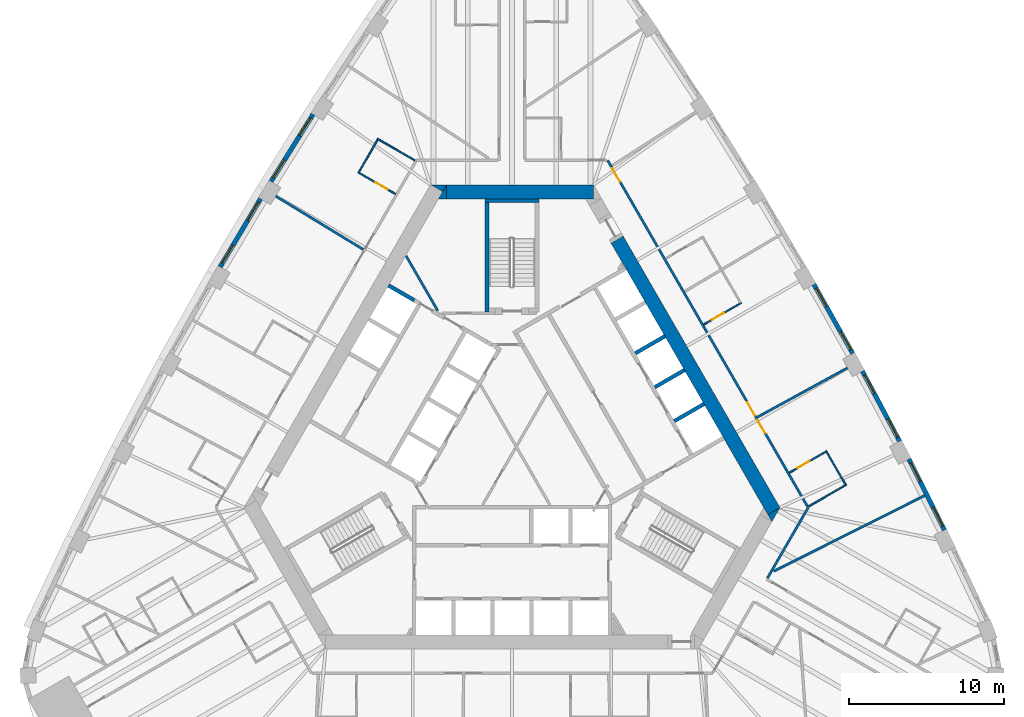
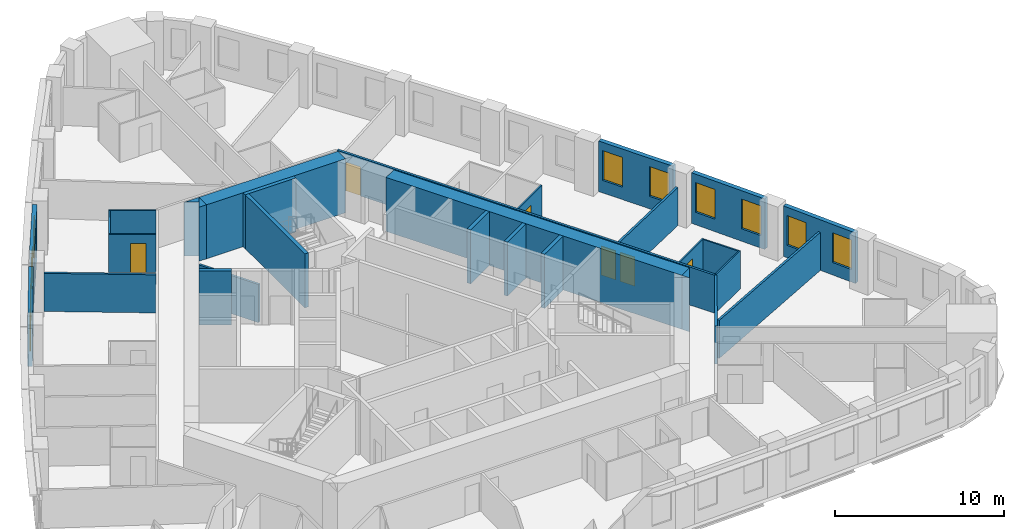
# One storey, part 9 of 12: 29 walls, 10 windows, 6 doors, 16 openings.
"""IFC4 building model written with IfcOpenShell, lengths in metres."""

from ifc_helpers import new_model, si_unit, direction, frame, frame_2d, origin, place, context, subcontext, project, spatial, polyline, rectangle, outline, extrude, material, layer, layer_set, type_object, element, fill, save


model = new_model("IFC4")

# Units and contexts
model_context = context("Model", 3, precision=1e-05, world=origin(), true_north=direction((0.0, 1.0)))
body_context = subcontext(model_context, "Body", "Model", "MODEL_VIEW")
ifc_project = project(units=[si_unit("LENGTHUNIT", "METRE"), si_unit("AREAUNIT", "SQUARE_METRE"), si_unit("VOLUMEUNIT", "CUBIC_METRE"), si_unit("PLANEANGLEUNIT", "RADIAN"), si_unit("MASSUNIT", "GRAM", prefix="KILO")], contexts=[model_context])

# Site, building, storey
site_placement = place(None, origin())
site = spatial("IfcSite", under=ifc_project, at=site_placement, CompositionType="ELEMENT")
building_placement = place(site_placement, origin())
building = spatial("IfcBuilding", under=site, at=building_placement, Name="Mestral Congress Tower", CompositionType="ELEMENT")
storey_placement = place(building_placement, frame((0.0, 0.0, 122.699951171875)))
storey = spatial("IfcBuildingStorey", under=building, at=storey_placement, Name="L29", CompositionType="ELEMENT", Elevation=122.699951171875)

# Walls
ifc_material_1 = material(Name="Fire-rated board partition")
ifc_layer_1 = layer(ifc_material_1, 0.14990234375)
ifc_layer_set_1 = layer_set([ifc_layer_1], Name="Fire-rated board partition")
wall_type_1 = type_object("IfcWallType", Name="Core partition 150", PredefinedType="PARTITIONING", material=ifc_layer_set_1)
wall_1_placement = place(storey_placement, frame((-6.8232421875, 12.318115234375, 0.0), z_axis=(0.0, 0.0, 1.0), x_axis=(0.500007885066, -0.866020851292, 0.0)))
element("IfcWall", 1, at=wall_1_placement, inside=storey, type_object=wall_type_1, Name="L29 core wall", PredefinedType="PARTITIONING", context=body_context, shape_type="SweptSolid", body=[
    extrude(rectangle(XDim=4.072265625, YDim=0.14990234375, at=frame_2d((2.0361328125, 0.0))), origin(), (0.0, 0.0, 1.0), 2.75),
])
ifc_material_2 = material(Name="Concrete C60/75", Category="concrete")
ifc_layer_2 = layer(ifc_material_2, 0.89990234375)
ifc_layer_set_2 = layer_set([ifc_layer_2], Name="Concrete C60/75")
wall_type_2 = type_object("IfcWallType", Name="Core wall RC 900", PredefinedType="SOLIDWALL", material=ifc_layer_set_2)
wall_2_placement = place(storey_placement, frame((6.77587890625, 13.36376953125, 0.0), z_axis=(0.0, 0.0, 1.0), x_axis=(0.500004177138, -0.8660229921, 0.0)))
element("IfcWall", 2, at=wall_2_placement, inside=storey, type_object=wall_type_2, Name="L29 core wall", PredefinedType="SOLIDWALL", context=body_context, shape_type="SweptSolid", body=[
    extrude(rectangle(XDim=20.203857421875, YDim=0.89990234375, at=frame_2d((10.10205078125, 0.0))), origin(), (0.0, 0.0, 1.0), 3.900146484375),
])
placement = place(storey_placement, origin())
element("IfcWall", 3, at=placement, inside=storey, type_object=wall_type_2, Name="L29 core wall", PredefinedType="SOLIDWALL", context=body_context, shape_type="SweptSolid", body=[
    extrude(outline(polyline([(16.7431640625, -4.800048828125), (16.4892578125, -4.360107421875), (17.251220703125, -3.920166015625), (16.7431640625, -4.800048828125)])), origin(), (0.0, 0.0, 1.0), 3.900146484375),
])
element("IfcWall", 4, at=placement, inside=storey, type_object=wall_type_2, Name="L29 core wall", PredefinedType="SOLIDWALL", context=body_context, shape_type="SweptSolid", body=[
    extrude(outline(polyline([(-4.214599609375, 16.89990234375), (-4.46875, 16.460205078125), (-5.230712890625, 16.89990234375), (-4.214599609375, 16.89990234375)])), origin(), (0.0, 0.0, 1.0), 3.900146484375),
])
wall_5_placement = place(storey_placement, frame((-4.224365234375, 16.449951171875, 0.0), z_axis=(0.0, 0.0, 1.0), x_axis=(1.0, 0.0, 0.0)))
element("IfcWall", 5, at=wall_5_placement, inside=storey, type_object=wall_type_2, Name="L29 core wall", PredefinedType="SOLIDWALL", context=body_context, shape_type="SweptSolid", body=[
    extrude(rectangle(XDim=9.48779296875, YDim=0.89990234375, at=frame_2d((4.743896484375, 0.0))), origin(), (0.0, 0.0, 1.0), 3.900146484375),
])
element("IfcWall", 6, at=placement, inside=storey, type_object=wall_type_2, Name="L29 core wall", PredefinedType="SOLIDWALL", context=body_context, shape_type="SweptSolid", body=[
    extrude(outline(polyline([(-4.734375, 16.0), (-4.226318359375, 16.8798828125), (-4.226318359375, 16.0), (-4.734375, 16.0)])), origin(), (0.0, 0.0, 1.0), 3.900146484375),
])

# Wall, openings, windows
ifc_material_3 = material(Name="Precast concrete C40/50 with limestone facing", Category="masonry")
ifc_layer_3 = layer(ifc_material_3, 0.2900390625)
ifc_layer_set_3 = layer_set([ifc_layer_3], Name="Precast concrete C40/50 with limestone facing")
wall_type_3 = type_object("IfcWallType", Name="Facade stone wall 290", PredefinedType="SOLIDWALL", material=ifc_layer_set_3)
wall_7_placement = place(storey_placement, frame((27.864013671875, -5.336181640625, 0.0), z_axis=(0.0, 0.0, 1.0), x_axis=(-0.448534297211, 0.893765620409, 0.0)))
wall_7 = element("IfcWall", 7, at=wall_7_placement, inside=storey, type_object=wall_type_3, Name="Facade wall F1-01", PredefinedType="SOLIDWALL", context=body_context, shape_type="SweptSolid", body=[
    extrude(rectangle(XDim=5.10009765625, YDim=0.2900390625, at=frame_2d((2.550048828125, 0.0))), origin(), (0.0, 0.0, 1.0), 3.650146484375),
])
opening_1_placement = place(wall_7_placement, frame((0.2724609375, 0.0, 0.89990234375)))
opening_1 = element("IfcOpeningElement", 8, at=opening_1_placement, cuts=wall_7, Name="Opening W2", PredefinedType="OPENING", context=body_context, shape_type="SweptSolid", body=[
    extrude(rectangle(XDim=1.35009765625, YDim=2.14990234375, at=frame_2d((0.675048828125, 1.074951171875))), frame((0.0, 0.155029296875, 0.0), z_axis=(0.0, -1.0, 0.0), x_axis=(1.0, 0.0, 0.0)), (0.0, 0.0, 1.0), 0.31005859375),
])
opening_2_placement = place(wall_7_placement, frame((3.477783203125, 0.0, 0.89990234375)))
opening_2 = element("IfcOpeningElement", 9, at=opening_2_placement, cuts=wall_7, Name="Opening W2", PredefinedType="OPENING", context=body_context, shape_type="SweptSolid", body=[
    extrude(rectangle(XDim=1.35009765625, YDim=2.14990234375, at=frame_2d((0.675048828125, 1.074951171875))), frame((0.0, 0.155029296875, 0.0), z_axis=(0.0, -1.0, 0.0), x_axis=(1.0, 0.0, 0.0)), (0.0, 0.0, 1.0), 0.31005859375),
])
ifc_material_4 = material(Name="Clear low-emissivity double glazing", Category="glass")
window_type = type_object("IfcWindowType", Name="Facade punched window 1350 x 2150 sill 900", PartitioningType="DOUBLE_PANEL_VERTICAL", PredefinedType="WINDOW", material=ifc_material_4)
window_1_placement = place(opening_1_placement, origin())
window_1 = element("IfcWindow", 10, at=window_1_placement, inside=storey, type_object=window_type, Name="Window F1-01a", OverallHeight=2.14990234375, OverallWidth=1.35009765625, PartitioningType="DOUBLE_PANEL_VERTICAL", PredefinedType="WINDOW", context=body_context, shape_type="SweptSolid", body=[
    extrude(rectangle(XDim=1.35009765625, YDim=2.14990234375, at=frame_2d((0.675048828125, 1.074951171875))), frame((0.0, 0.01513671875, 0.0), z_axis=(0.0, -1.0, 0.0), x_axis=(1.0, 0.0, 0.0)), (0.0, 0.0, 1.0), 0.06005859375),
])
fill(opening_1, window_1)
window_2_placement = place(opening_2_placement, origin())
window_2 = element("IfcWindow", 11, at=window_2_placement, inside=storey, type_object=window_type, Name="Window F1-01b", OverallHeight=2.14990234375, OverallWidth=1.35009765625, PartitioningType="DOUBLE_PANEL_VERTICAL", PredefinedType="WINDOW", context=body_context, shape_type="SweptSolid", body=[
    extrude(rectangle(XDim=1.35009765625, YDim=2.14990234375, at=frame_2d((0.675048828125, 1.074951171875))), frame((0.0, 0.01513671875, 0.0), z_axis=(0.0, -1.0, 0.0), x_axis=(1.0, 0.0, 0.0)), (0.0, 0.0, 1.0), 0.06005859375),
])
fill(opening_2, window_2)

wall_8_placement = place(storey_placement, frame((24.976806640625, 0.3828125, 0.0), z_axis=(0.0, 0.0, 1.0), x_axis=(-0.469323203119, 0.883026461106, 0.0)))
wall_8 = element("IfcWall", 12, at=wall_8_placement, inside=storey, type_object=wall_type_3, Name="Facade wall F1-02", PredefinedType="SOLIDWALL", context=body_context, shape_type="SweptSolid", body=[
    extrude(rectangle(XDim=5.1005859375, YDim=0.2900390625, at=frame_2d((2.55029296875, 0.0))), origin(), (0.0, 0.0, 1.0), 3.650146484375),
])
opening_3_placement = place(wall_8_placement, frame((0.272705078125, 0.0, 0.89990234375)))
opening_3 = element("IfcOpeningElement", 13, at=opening_3_placement, cuts=wall_8, Name="Opening W2", PredefinedType="OPENING", context=body_context, shape_type="SweptSolid", body=[
    extrude(rectangle(XDim=1.35009765625, YDim=2.14990234375, at=frame_2d((0.675048828125, 1.074951171875))), frame((0.0, 0.155029296875, 0.0), z_axis=(0.0, -1.0, 0.0), x_axis=(1.0, 0.0, 0.0)), (0.0, 0.0, 1.0), 0.31005859375),
])
opening_4_placement = place(wall_8_placement, frame((3.477783203125, 0.0, 0.89990234375)))
opening_4 = element("IfcOpeningElement", 14, at=opening_4_placement, cuts=wall_8, Name="Opening W2", PredefinedType="OPENING", context=body_context, shape_type="SweptSolid", body=[
    extrude(rectangle(XDim=1.35009765625, YDim=2.14990234375, at=frame_2d((0.675048828125, 1.074951171875))), frame((0.0, 0.155029296875, 0.0), z_axis=(0.0, -1.0, 0.0), x_axis=(1.0, 0.0, 0.0)), (0.0, 0.0, 1.0), 0.31005859375),
])
window_3_placement = place(opening_3_placement, origin())
window_3 = element("IfcWindow", 15, at=window_3_placement, inside=storey, type_object=window_type, Name="Window F1-02a", OverallHeight=2.14990234375, OverallWidth=1.35009765625, PartitioningType="DOUBLE_PANEL_VERTICAL", PredefinedType="WINDOW", context=body_context, shape_type="SweptSolid", body=[
    extrude(rectangle(XDim=1.35009765625, YDim=2.14990234375, at=frame_2d((0.675048828125, 1.074951171875))), frame((0.0, 0.01513671875, 0.0), z_axis=(0.0, -1.0, 0.0), x_axis=(1.0, 0.0, 0.0)), (0.0, 0.0, 1.0), 0.06005859375),
])
fill(opening_3, window_3)
window_4_placement = place(opening_4_placement, origin())
window_4 = element("IfcWindow", 16, at=window_4_placement, inside=storey, type_object=window_type, Name="Window F1-02b", OverallHeight=2.14990234375, OverallWidth=1.35009765625, PartitioningType="DOUBLE_PANEL_VERTICAL", PredefinedType="WINDOW", context=body_context, shape_type="SweptSolid", body=[
    extrude(rectangle(XDim=1.35009765625, YDim=2.14990234375, at=frame_2d((0.675048828125, 1.074951171875))), frame((0.0, 0.01513671875, 0.0), z_axis=(0.0, -1.0, 0.0), x_axis=(1.0, 0.0, 0.0)), (0.0, 0.0, 1.0), 0.06005859375),
])
fill(opening_4, window_4)

wall_9_placement = place(storey_placement, frame((21.956298828125, 6.033203125, 0.0), z_axis=(0.0, 0.0, 1.0), x_axis=(-0.48983164787, 0.87181704316, 0.0)))
wall_9 = element("IfcWall", 17, at=wall_9_placement, inside=storey, type_object=wall_type_3, Name="Facade wall F1-03", PredefinedType="SOLIDWALL", context=body_context, shape_type="SweptSolid", body=[
    extrude(rectangle(XDim=5.100341796875, YDim=0.2900390625, at=frame_2d((2.55029296875, 0.0))), origin(), (0.0, 0.0, 1.0), 3.650146484375),
])
opening_5_placement = place(wall_9_placement, frame((0.272705078125, 0.0, 0.89990234375)))
opening_5 = element("IfcOpeningElement", 18, at=opening_5_placement, cuts=wall_9, Name="Opening W2", PredefinedType="OPENING", context=body_context, shape_type="SweptSolid", body=[
    extrude(rectangle(XDim=1.35009765625, YDim=2.14990234375, at=frame_2d((0.675048828125, 1.074951171875))), frame((0.0, 0.155029296875, 0.0), z_axis=(0.0, -1.0, 0.0), x_axis=(1.0, 0.0, 0.0)), (0.0, 0.0, 1.0), 0.31005859375),
])
opening_6_placement = place(wall_9_placement, frame((3.477783203125, 0.0, 0.89990234375)))
opening_6 = element("IfcOpeningElement", 19, at=opening_6_placement, cuts=wall_9, Name="Opening W2", PredefinedType="OPENING", context=body_context, shape_type="SweptSolid", body=[
    extrude(rectangle(XDim=1.35009765625, YDim=2.14990234375, at=frame_2d((0.675048828125, 1.074951171875))), frame((0.0, 0.155029296875, 0.0), z_axis=(0.0, -1.0, 0.0), x_axis=(1.0, 0.0, 0.0)), (0.0, 0.0, 1.0), 0.31005859375),
])
window_5_placement = place(opening_5_placement, origin())
window_5 = element("IfcWindow", 20, at=window_5_placement, inside=storey, type_object=window_type, Name="Window F1-03a", OverallHeight=2.14990234375, OverallWidth=1.35009765625, PartitioningType="DOUBLE_PANEL_VERTICAL", PredefinedType="WINDOW", context=body_context, shape_type="SweptSolid", body=[
    extrude(rectangle(XDim=1.35009765625, YDim=2.14990234375, at=frame_2d((0.675048828125, 1.074951171875))), frame((0.0, 0.01513671875, 0.0), z_axis=(0.0, -1.0, 0.0), x_axis=(1.0, 0.0, 0.0)), (0.0, 0.0, 1.0), 0.06005859375),
])
fill(opening_5, window_5)
window_6_placement = place(opening_6_placement, origin())
window_6 = element("IfcWindow", 21, at=window_6_placement, inside=storey, type_object=window_type, Name="Window F1-03b", OverallHeight=2.14990234375, OverallWidth=1.35009765625, PartitioningType="DOUBLE_PANEL_VERTICAL", PredefinedType="WINDOW", context=body_context, shape_type="SweptSolid", body=[
    extrude(rectangle(XDim=1.35009765625, YDim=2.14990234375, at=frame_2d((0.675048828125, 1.074951171875))), frame((0.0, 0.01513671875, 0.0), z_axis=(0.0, -1.0, 0.0), x_axis=(1.0, 0.0, 0.0)), (0.0, 0.0, 1.0), 0.06005859375),
])
fill(opening_6, window_6)

wall_10_placement = place(storey_placement, frame((-12.820068359375, 21.43896484375, 0.0), z_axis=(0.0, 0.0, 1.0), x_axis=(-0.530072082134, -0.847952585787, 0.0)))
wall_10 = element("IfcWall", 22, at=wall_10_placement, inside=storey, type_object=wall_type_3, Name="Facade wall F2-02", PredefinedType="SOLIDWALL", context=body_context, shape_type="SweptSolid", body=[
    extrude(rectangle(XDim=5.100341796875, YDim=0.2900390625, at=frame_2d((2.55029296875, 0.0))), origin(), (0.0, 0.0, 1.0), 3.650146484375),
])
opening_7_placement = place(wall_10_placement, frame((0.272705078125, 0.0, 0.89990234375)))
opening_7 = element("IfcOpeningElement", 23, at=opening_7_placement, cuts=wall_10, Name="Opening W2", PredefinedType="OPENING", context=body_context, shape_type="SweptSolid", body=[
    extrude(rectangle(XDim=1.35009765625, YDim=2.14990234375, at=frame_2d((0.675048828125, 1.074951171875))), frame((0.0, 0.155029296875, 0.0), z_axis=(0.0, -1.0, 0.0), x_axis=(1.0, 0.0, 0.0)), (0.0, 0.0, 1.0), 0.31005859375),
])
opening_8_placement = place(wall_10_placement, frame((3.477783203125, 0.0, 0.89990234375)))
opening_8 = element("IfcOpeningElement", 24, at=opening_8_placement, cuts=wall_10, Name="Opening W2", PredefinedType="OPENING", context=body_context, shape_type="SweptSolid", body=[
    extrude(rectangle(XDim=1.35009765625, YDim=2.14990234375, at=frame_2d((0.675048828125, 1.074951171875))), frame((0.0, 0.155029296875, 0.0), z_axis=(0.0, -1.0, 0.0), x_axis=(1.0, 0.0, 0.0)), (0.0, 0.0, 1.0), 0.31005859375),
])
window_7_placement = place(opening_7_placement, origin())
window_7 = element("IfcWindow", 25, at=window_7_placement, inside=storey, type_object=window_type, Name="Window F2-02a", OverallHeight=2.14990234375, OverallWidth=1.35009765625, PartitioningType="DOUBLE_PANEL_VERTICAL", PredefinedType="WINDOW", context=body_context, shape_type="SweptSolid", body=[
    extrude(rectangle(XDim=1.35009765625, YDim=2.14990234375, at=frame_2d((0.675048828125, 1.074951171875))), frame((0.0, 0.01513671875, 0.0), z_axis=(0.0, -1.0, 0.0), x_axis=(1.0, 0.0, 0.0)), (0.0, 0.0, 1.0), 0.06005859375),
])
fill(opening_7, window_7)
window_8_placement = place(opening_8_placement, origin())
window_8 = element("IfcWindow", 26, at=window_8_placement, inside=storey, type_object=window_type, Name="Window F2-02b", OverallHeight=2.14990234375, OverallWidth=1.35009765625, PartitioningType="DOUBLE_PANEL_VERTICAL", PredefinedType="WINDOW", context=body_context, shape_type="SweptSolid", body=[
    extrude(rectangle(XDim=1.35009765625, YDim=2.14990234375, at=frame_2d((0.675048828125, 1.074951171875))), frame((0.0, 0.01513671875, 0.0), z_axis=(0.0, -1.0, 0.0), x_axis=(1.0, 0.0, 0.0)), (0.0, 0.0, 1.0), 0.06005859375),
])
fill(opening_8, window_8)

wall_11_placement = place(storey_placement, frame((-16.203125, 15.998291015625, 0.0), z_axis=(0.0, 0.0, 1.0), x_axis=(-0.510054281659, -0.860142214847, 0.0)))
wall_11 = element("IfcWall", 27, at=wall_11_placement, inside=storey, type_object=wall_type_3, Name="Facade wall F2-03", PredefinedType="SOLIDWALL", context=body_context, shape_type="SweptSolid", body=[
    extrude(rectangle(XDim=5.1005859375, YDim=0.2900390625, at=frame_2d((2.55029296875, 0.0))), origin(), (0.0, 0.0, 1.0), 3.650146484375),
])
opening_9_placement = place(wall_11_placement, frame((0.272705078125, 0.0, 0.89990234375)))
opening_9 = element("IfcOpeningElement", 28, at=opening_9_placement, cuts=wall_11, Name="Opening W2", PredefinedType="OPENING", context=body_context, shape_type="SweptSolid", body=[
    extrude(rectangle(XDim=1.35009765625, YDim=2.14990234375, at=frame_2d((0.675048828125, 1.074951171875))), frame((0.0, 0.155029296875, 0.0), z_axis=(0.0, -1.0, 0.0), x_axis=(1.0, 0.0, 0.0)), (0.0, 0.0, 1.0), 0.31005859375),
])
opening_10_placement = place(wall_11_placement, frame((3.477783203125, 0.0, 0.89990234375)))
opening_10 = element("IfcOpeningElement", 29, at=opening_10_placement, cuts=wall_11, Name="Opening W2", PredefinedType="OPENING", context=body_context, shape_type="SweptSolid", body=[
    extrude(rectangle(XDim=1.35009765625, YDim=2.14990234375, at=frame_2d((0.675048828125, 1.074951171875))), frame((0.0, 0.155029296875, 0.0), z_axis=(0.0, -1.0, 0.0), x_axis=(1.0, 0.0, 0.0)), (0.0, 0.0, 1.0), 0.31005859375),
])
window_9_placement = place(opening_9_placement, origin())
window_9 = element("IfcWindow", 30, at=window_9_placement, inside=storey, type_object=window_type, Name="Window F2-03a", OverallHeight=2.14990234375, OverallWidth=1.35009765625, PartitioningType="DOUBLE_PANEL_VERTICAL", PredefinedType="WINDOW", context=body_context, shape_type="SweptSolid", body=[
    extrude(rectangle(XDim=1.35009765625, YDim=2.14990234375, at=frame_2d((0.675048828125, 1.074951171875))), frame((0.0, 0.01513671875, 0.0), z_axis=(0.0, -1.0, 0.0), x_axis=(1.0, 0.0, 0.0)), (0.0, 0.0, 1.0), 0.06005859375),
])
fill(opening_9, window_9)
window_10_placement = place(opening_10_placement, origin())
window_10 = element("IfcWindow", 31, at=window_10_placement, inside=storey, type_object=window_type, Name="Window F2-03b", OverallHeight=2.14990234375, OverallWidth=1.35009765625, PartitioningType="DOUBLE_PANEL_VERTICAL", PredefinedType="WINDOW", context=body_context, shape_type="SweptSolid", body=[
    extrude(rectangle(XDim=1.35009765625, YDim=2.14990234375, at=frame_2d((0.675048828125, 1.074951171875))), frame((0.0, 0.01513671875, 0.0), z_axis=(0.0, -1.0, 0.0), x_axis=(1.0, 0.0, 0.0)), (0.0, 0.0, 1.0), 0.06005859375),
])
fill(opening_10, window_10)

# Wall, opening, door
ifc_material_5 = material(Name="Gypsum board partition on metal studs with mineral wool", Category="composite")
ifc_layer_4 = layer(ifc_material_5, 0.10009765625)
ifc_layer_set_4 = layer_set([ifc_layer_4], Name="Gypsum board partition on metal studs with mineral wool")
wall_type_4 = type_object("IfcWallType", Name="Hotel partition wall 100", PredefinedType="PARTITIONING", material=ifc_layer_set_4)
wall_12_placement = place(storey_placement, frame((20.296142578125, -0.254150390625, 0.0), z_axis=(0.0, 0.0, 1.0), x_axis=(-0.866034573852, -0.49998411664, 0.0)))
wall_12 = element("IfcWall", 32, at=wall_12_placement, inside=storey, type_object=wall_type_4, Name="L29-h-pod08a", PredefinedType="PARTITIONING", context=body_context, shape_type="SweptSolid", body=[
    extrude(rectangle(XDim=2.7998046875, YDim=0.10009765625, at=frame_2d((1.39990234375, 0.0))), origin(), (0.0, 0.0, 1.0), 2.75),
])
opening_11_placement = place(wall_12_placement, frame((1.300048828125, 0.0, 0.0)))
opening_11 = element("IfcOpeningElement", 33, at=opening_11_placement, cuts=wall_12, Name="Opening H09-016", PredefinedType="OPENING", context=body_context, shape_type="SweptSolid", body=[
    extrude(rectangle(XDim=0.89990234375, YDim=2.10009765625, at=frame_2d((0.449951171875, 1.050048828125))), frame((0.0, 0.06005859375, 0.0), z_axis=(0.0, -1.0, 0.0), x_axis=(1.0, 0.0, 0.0)), (0.0, 0.0, 1.0), 0.1201171875),
])
ifc_material_6 = material(Name="Timber veneer door leaf in timber frame", Category="wood")
door_type_1 = type_object("IfcDoorType", Name="Bathroom door 900", OperationType="SINGLE_SWING_LEFT", PredefinedType="DOOR", material=ifc_material_6)
door_1_placement = place(opening_11_placement, origin())
door_1 = element("IfcDoor", 34, at=door_1_placement, inside=storey, type_object=door_type_1, Name="L29-h-d016", OperationType="SINGLE_SWING_LEFT", OverallHeight=2.10009765625, OverallWidth=0.89990234375, PredefinedType="DOOR", context=body_context, shape_type="SweptSolid", body=[
    extrude(rectangle(XDim=0.89990234375, YDim=2.10009765625, at=frame_2d((0.449951171875, 1.050048828125))), frame((0.0, 0.02490234375, 0.0), z_axis=(0.0, -1.0, 0.0), x_axis=(1.0, 0.0, 0.0)), (0.0, 0.0, 1.0), 0.050048828125),
])
fill(opening_11, door_1)

# Walls
wall_13_placement = place(storey_placement, frame((20.27783203125, -0.322509765625, 0.0), z_axis=(0.0, 0.0, 1.0), x_axis=(0.500001309137, -0.866024647952, 0.0)))
element("IfcWall", 35, at=wall_13_placement, inside=storey, type_object=wall_type_4, Name="L29-h-pod08b", PredefinedType="PARTITIONING", context=body_context, shape_type="SweptSolid", body=[
    extrude(rectangle(XDim=2.39990234375, YDim=0.10009765625, at=frame_2d((1.199951171875, 0.0))), origin(), (0.0, 0.0, 1.0), 2.75),
])
wall_14_placement = place(storey_placement, frame((19.121337890625, -3.819091796875, 0.0), z_axis=(0.0, 0.0, 1.0), x_axis=(0.866034573852, 0.49998411664, 0.0)))
element("IfcWall", 36, at=wall_14_placement, inside=storey, type_object=wall_type_4, Name="L29-h-pod08c", PredefinedType="PARTITIONING", context=body_context, shape_type="SweptSolid", body=[
    extrude(rectangle(XDim=2.7998046875, YDim=0.10009765625, at=frame_2d((1.39990234375, 0.0))), origin(), (0.0, 0.0, 1.0), 2.75),
])

# Wall, opening, door
wall_15_placement = place(storey_placement, frame((12.35546875, 7.89990234375, 0.0), z_axis=(0.0, 0.0, 1.0), x_axis=(0.866034573852, 0.49998411664, 0.0)))
wall_15 = element("IfcWall", 37, at=wall_15_placement, inside=storey, type_object=wall_type_4, Name="L29-h-pod09a", PredefinedType="PARTITIONING", context=body_context, shape_type="SweptSolid", body=[
    extrude(rectangle(XDim=2.7998046875, YDim=0.10009765625, at=frame_2d((1.39990234375, 0.0))), origin(), (0.0, 0.0, 1.0), 2.75),
])
opening_12_placement = place(wall_15_placement, frame((0.60009765625, 0.0, 0.0)))
opening_12 = element("IfcOpeningElement", 38, at=opening_12_placement, cuts=wall_15, Name="Opening H09-018", PredefinedType="OPENING", context=body_context, shape_type="SweptSolid", body=[
    extrude(rectangle(XDim=0.89990234375, YDim=2.10009765625, at=frame_2d((0.449951171875, 1.050048828125))), frame((0.0, 0.06005859375, 0.0), z_axis=(0.0, -1.0, 0.0), x_axis=(1.0, 0.0, 0.0)), (0.0, 0.0, 1.0), 0.1201171875),
])
door_2_placement = place(opening_12_placement, origin())
door_2 = element("IfcDoor", 39, at=door_2_placement, inside=storey, type_object=door_type_1, Name="L29-h-d018", OperationType="SINGLE_SWING_RIGHT", OverallHeight=2.10009765625, OverallWidth=0.89990234375, PredefinedType="DOOR", context=body_context, shape_type="SweptSolid", body=[
    extrude(rectangle(XDim=0.89990234375, YDim=2.10009765625, at=frame_2d((0.449951171875, 1.050048828125))), frame((0.0, 0.02490234375, 0.0), z_axis=(0.0, -1.0, 0.0), x_axis=(1.0, 0.0, 0.0)), (0.0, 0.0, 1.0), 0.050048828125),
])
fill(opening_12, door_2)

wall_16_placement = place(storey_placement, frame((-9.927978515625, 17.7041015625, 0.0), z_axis=(0.0, 0.0, 1.0), x_axis=(0.866034573852, -0.49998411664, 0.0)))
wall_16 = element("IfcWall", 40, at=wall_16_placement, inside=storey, type_object=wall_type_4, Name="L29-h-pod14a", PredefinedType="PARTITIONING", context=body_context, shape_type="SweptSolid", body=[
    extrude(rectangle(XDim=2.7998046875, YDim=0.10009765625, at=frame_2d((1.39990234375, 0.0))), origin(), (0.0, 0.0, 1.0), 2.75),
])
opening_13_placement = place(wall_16_placement, frame((1.300048828125, 0.0, 0.0)))
opening_13 = element("IfcOpeningElement", 41, at=opening_13_placement, cuts=wall_16, Name="Opening H09-028", PredefinedType="OPENING", context=body_context, shape_type="SweptSolid", body=[
    extrude(rectangle(XDim=0.89990234375, YDim=2.10009765625, at=frame_2d((0.449951171875, 1.050048828125))), frame((0.0, 0.06005859375, 0.0), z_axis=(0.0, -1.0, 0.0), x_axis=(1.0, 0.0, 0.0)), (0.0, 0.0, 1.0), 0.1201171875),
])
door_3_placement = place(opening_13_placement, origin())
door_3 = element("IfcDoor", 42, at=door_3_placement, inside=storey, type_object=door_type_1, Name="L29-h-d028", OperationType="SINGLE_SWING_LEFT", OverallHeight=2.10009765625, OverallWidth=0.89990234375, PredefinedType="DOOR", context=body_context, shape_type="SweptSolid", body=[
    extrude(rectangle(XDim=0.89990234375, YDim=2.10009765625, at=frame_2d((0.449951171875, 1.050048828125))), frame((0.0, 0.02490234375, 0.0), z_axis=(0.0, -1.0, 0.0), x_axis=(1.0, 0.0, 0.0)), (0.0, 0.0, 1.0), 0.050048828125),
])
fill(opening_13, door_3)

# Walls
wall_17_placement = place(storey_placement, frame((-9.859619140625, 17.722412109375, 0.0), z_axis=(0.0, 0.0, 1.0), x_axis=(0.500001309137, 0.866024647952, 0.0)))
element("IfcWall", 43, at=wall_17_placement, inside=storey, type_object=wall_type_4, Name="L29-h-pod14b", PredefinedType="PARTITIONING", context=body_context, shape_type="SweptSolid", body=[
    extrude(rectangle(XDim=2.39990234375, YDim=0.10009765625, at=frame_2d((1.199951171875, 0.0))), origin(), (0.0, 0.0, 1.0), 2.75),
])
wall_18_placement = place(storey_placement, frame((-6.253173828125, 18.46923828125, 0.0), z_axis=(0.0, 0.0, 1.0), x_axis=(-0.866034573852, 0.49998411664, 0.0)))
element("IfcWall", 44, at=wall_18_placement, inside=storey, type_object=wall_type_4, Name="L29-h-pod14c", PredefinedType="PARTITIONING", context=body_context, shape_type="SweptSolid", body=[
    extrude(rectangle(XDim=2.7998046875, YDim=0.10009765625, at=frame_2d((1.39990234375, 0.0))), origin(), (0.0, 0.0, 1.0), 2.75),
])
ifc_layer_5 = layer(ifc_material_5, 0.14990234375)
ifc_layer_set_5 = layer_set([ifc_layer_5], Name="Gypsum board partition on metal studs with mineral wool")
wall_type_5 = type_object("IfcWallType", Name="Hotel partition wall 150", PredefinedType="PARTITIONING", material=ifc_layer_set_5)
wall_19_placement = place(storey_placement, frame((19.081298828125, -3.89990234375, 0.0), z_axis=(0.0, 0.0, 1.0), x_axis=(-0.499974327079, -0.866040225545, 0.0)))
element("IfcWall", 45, at=wall_19_placement, inside=storey, type_object=wall_type_5, Name="L29-h-cw02", PredefinedType="PARTITIONING", context=body_context, shape_type="SweptSolid", body=[
    extrude(rectangle(XDim=5.258056640625, YDim=0.14990234375, at=frame_2d((2.62890625, 0.0))), origin(), (0.0, 0.0, 1.0), 2.75),
])

# Wall, openings, doors
wall_20_placement = place(storey_placement, frame((6.1630859375, 18.47509765625, 0.0), z_axis=(0.0, 0.0, 1.0), x_axis=(0.500001317485, -0.866024643133, 0.0)))
wall_20 = element("IfcWall", 46, at=wall_20_placement, inside=storey, type_object=wall_type_5, Name="L29-h-cw03", PredefinedType="PARTITIONING", context=body_context, shape_type="SweptSolid", body=[
    extrude(rectangle(XDim=25.7666015625, YDim=0.14990234375, at=frame_2d((12.88330078125, 0.0))), origin(), (0.0, 0.0, 1.0), 2.75),
])
opening_14_placement = place(wall_20_placement, frame((19.306396484375, 0.0, 0.0)))
opening_14 = element("IfcOpeningElement", 47, at=opening_14_placement, cuts=wall_20, Name="Opening H09-015", PredefinedType="OPENING", context=body_context, shape_type="SweptSolid", body=[
    extrude(rectangle(XDim=1.0, YDim=2.10009765625, at=frame_2d((0.5, 1.050048828125))), frame((0.0, 0.0849609375, 0.0), z_axis=(0.0, -1.0, 0.0), x_axis=(1.0, 0.0, 0.0)), (0.0, 0.0, 1.0), 0.169921875),
])
opening_15_placement = place(wall_20_placement, frame((17.99853515625, 0.0, 0.0)))
opening_15 = element("IfcOpeningElement", 48, at=opening_15_placement, cuts=wall_20, Name="Opening H09-017", PredefinedType="OPENING", context=body_context, shape_type="SweptSolid", body=[
    extrude(rectangle(XDim=1.0, YDim=2.10009765625, at=frame_2d((0.5, 1.050048828125))), frame((0.0, 0.0849609375, 0.0), z_axis=(0.0, -1.0, 0.0), x_axis=(1.0, 0.0, 0.0)), (0.0, 0.0, 1.0), 0.169921875),
])
opening_16_placement = place(wall_20_placement, frame((0.595703125, 0.0, 0.0)))
opening_16 = element("IfcOpeningElement", 49, at=opening_16_placement, cuts=wall_20, Name="Opening H09-019", PredefinedType="OPENING", context=body_context, shape_type="SweptSolid", body=[
    extrude(rectangle(XDim=1.0, YDim=2.10009765625, at=frame_2d((0.5, 1.050048828125))), frame((0.0, 0.0849609375, 0.0), z_axis=(0.0, -1.0, 0.0), x_axis=(1.0, 0.0, 0.0)), (0.0, 0.0, 1.0), 0.169921875),
])
ifc_material_7 = material(Name="Timber veneer door leaf in metal frame", Category="wood")
door_type_2 = type_object("IfcDoorType", Name="Guest room entrance door 1000", OperationType="SINGLE_SWING_LEFT", PredefinedType="DOOR", material=ifc_material_7)
door_4_placement = place(opening_14_placement, origin())
door_4 = element("IfcDoor", 50, at=door_4_placement, inside=storey, type_object=door_type_2, Name="L29-h-d015", OperationType="SINGLE_SWING_LEFT", OverallHeight=2.10009765625, OverallWidth=1.0, PredefinedType="DOOR", context=body_context, shape_type="SweptSolid", body=[
    extrude(rectangle(XDim=1.0, YDim=2.10009765625, at=frame_2d((0.5, 1.050048828125))), frame((0.0, 0.02490234375, 0.0), z_axis=(0.0, -1.0, 0.0), x_axis=(1.0, 0.0, 0.0)), (0.0, 0.0, 1.0), 0.050048828125),
])
fill(opening_14, door_4)
door_5_placement = place(opening_15_placement, origin())
door_5 = element("IfcDoor", 51, at=door_5_placement, inside=storey, type_object=door_type_2, Name="L29-h-d017", OperationType="SINGLE_SWING_RIGHT", OverallHeight=2.10009765625, OverallWidth=1.0, PredefinedType="DOOR", context=body_context, shape_type="SweptSolid", body=[
    extrude(rectangle(XDim=1.0, YDim=2.10009765625, at=frame_2d((0.5, 1.050048828125))), frame((0.0, 0.02490234375, 0.0), z_axis=(0.0, -1.0, 0.0), x_axis=(1.0, 0.0, 0.0)), (0.0, 0.0, 1.0), 0.050048828125),
])
fill(opening_15, door_5)
door_6_placement = place(opening_16_placement, origin())
door_6 = element("IfcDoor", 52, at=door_6_placement, inside=storey, type_object=door_type_2, Name="L29-h-d019", OperationType="SINGLE_SWING_LEFT", OverallHeight=2.10009765625, OverallWidth=1.0, PredefinedType="DOOR", context=body_context, shape_type="SweptSolid", body=[
    extrude(rectangle(XDim=1.0, YDim=2.10009765625, at=frame_2d((0.5, 1.050048828125))), frame((0.0, 0.02490234375, 0.0), z_axis=(0.0, -1.0, 0.0), x_axis=(1.0, 0.0, 0.0)), (0.0, 0.0, 1.0), 0.050048828125),
])
fill(opening_16, door_6)

# Walls
wall_21_placement = place(storey_placement, frame((-15.22509765625, 16.16748046875, 0.0), z_axis=(0.0, 0.0, 1.0), x_axis=(0.854088713274, -0.520127359266, 0.0)))
element("IfcWall", 53, at=wall_21_placement, inside=storey, type_object=wall_type_5, Name="L29-h-pw08", PredefinedType="PARTITIONING", context=body_context, shape_type="SweptSolid", body=[
    extrude(rectangle(XDim=6.61083984375, YDim=0.14990234375, at=frame_2d((3.305419921875, 0.0))), origin(), (0.0, 0.0, 1.0), 2.75),
])
wall_22_placement = place(storey_placement, frame((21.614013671875, 5.1015625, 0.0), z_axis=(0.0, 0.0, 1.0), x_axis=(-0.877484555087, -0.479604895287, 0.0)))
element("IfcWall", 54, at=wall_22_placement, inside=storey, type_object=wall_type_5, Name="L29-h-pw18", PredefinedType="PARTITIONING", context=body_context, shape_type="SweptSolid", body=[
    extrude(rectangle(XDim=6.611083984375, YDim=0.14990234375, at=frame_2d((3.3056640625, 0.0))), origin(), (0.0, 0.0, 1.0), 2.75),
])
wall_23_placement = place(storey_placement, frame((26.590576171875, -3.1220703125, 0.0), z_axis=(0.0, 0.0, 1.0), x_axis=(-0.893766213273, -0.448533115847, 0.0)))
element("IfcWall", 55, at=wall_23_placement, inside=storey, type_object=wall_type_5, Name="L29-h-pw19", PredefinedType="PARTITIONING", context=body_context, shape_type="SweptSolid", body=[
    extrude(rectangle(XDim=10.875244140625, YDim=0.14990234375, at=frame_2d((5.4375, 0.0))), origin(), (0.0, 0.0, 1.0), 2.75),
])
ifc_layer_6 = layer(ifc_material_2, 0.25)
ifc_layer_set_6 = layer_set([ifc_layer_6], Name="Concrete C60/75")
wall_type_6 = type_object("IfcWallType", Name="Shaft wall RC 250", PredefinedType="SOLIDWALL", material=ifc_layer_set_6)
for number, where, z_axis, x_axis, name in (
    (56, (10.463623046875, 1.676513671875, 0.0), (0.0, 0.0, 1.0), (0.86605622881, 0.499946605688, 0.0), "L29 core wall"),
    (57, (9.20361328125, 3.85888671875, 0.0), (0.0, 0.0, 1.0), (0.86605622881, 0.499946605688, 0.0), "L29 core wall"),
    (58, (7.943603515625, 6.041259765625, 0.0), (0.0, 0.0, 1.0), (0.86605622881, 0.499946605688, 0.0), "L29 core wall"),
):
    element("IfcWall", number, at=place(storey_placement, frame(where, z_axis=z_axis, x_axis=x_axis)), inside=storey, type_object=wall_type_6, Name=name, PredefinedType="SOLIDWALL", context=body_context, shape_type="SweptSolid", body=[
        extrude(rectangle(XDim=2.199951171875, YDim=0.25, at=frame_2d((1.10009765625, 0.0))), origin(), (0.0, 0.0, 1.0), 3.900146484375),
    ])
wall_24_placement = place(storey_placement, frame((-6.29638671875, 9.454833984375, 0.0), z_axis=(0.0, 0.0, 1.0), x_axis=(-0.866011930837, 0.500023335103, 0.0)))
element("IfcWall", 59, at=wall_24_placement, inside=storey, type_object=wall_type_6, Name="L29 core wall", PredefinedType="SOLIDWALL", context=body_context, shape_type="SweptSolid", body=[
    extrude(rectangle(XDim=1.919921875, YDim=0.25, at=frame_2d((0.9599609375, 0.0))), origin(), (0.0, 0.0, 1.0), 3.900146484375),
])
ifc_layer_7 = layer(ifc_material_2, 0.25)
ifc_layer_set_7 = layer_set([ifc_layer_7], Name="Concrete C60/75")
wall_type_7 = type_object("IfcWallType", Name="Stair wall RC 250", PredefinedType="SOLIDWALL", material=ifc_layer_set_7)
wall_25_placement = place(storey_placement, frame((-1.72509765625, 15.875, 0.0), z_axis=(0.0, 0.0, 1.0), x_axis=(1.0, 0.0, 0.0)))
element("IfcWall", 60, at=wall_25_placement, inside=storey, type_object=wall_type_7, Name="L29 core wall", PredefinedType="SOLIDWALL", context=body_context, shape_type="SweptSolid", body=[
    extrude(rectangle(XDim=3.4501953125, YDim=0.25, at=frame_2d((1.72509765625, 0.0))), origin(), (0.0, 0.0, 1.0), 3.900146484375),
])
wall_26_placement = place(storey_placement, frame((-1.60009765625, 8.699951171875, 0.0), z_axis=(0.0, 0.0, 1.0), x_axis=(0.0, 1.0, 0.0)))
element("IfcWall", 61, at=wall_26_placement, inside=storey, type_object=wall_type_7, Name="L29 core wall", PredefinedType="SOLIDWALL", context=body_context, shape_type="SweptSolid", body=[
    extrude(rectangle(XDim=7.050048828125, YDim=0.25, at=frame_2d((3.52490234375, 0.0))), origin(), (0.0, 0.0, 1.0), 3.900146484375),
])

save(model, "model.ifc")
